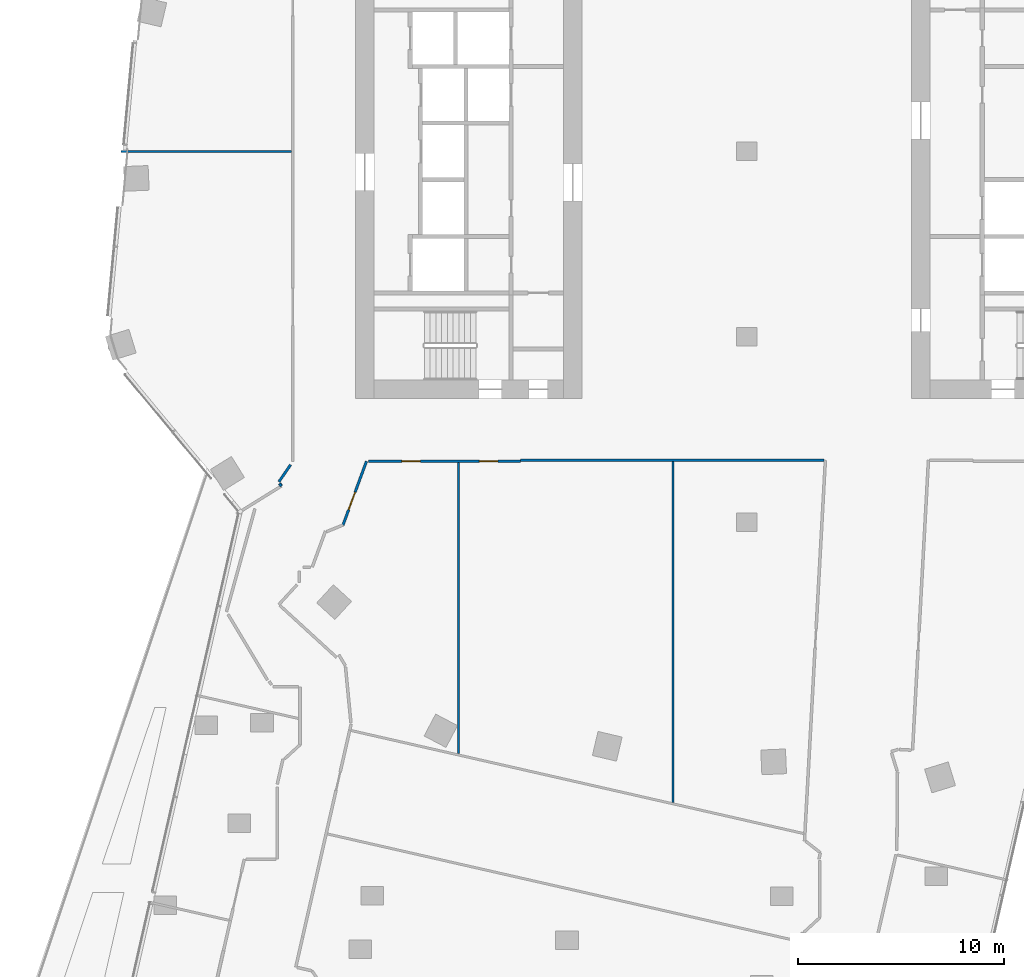
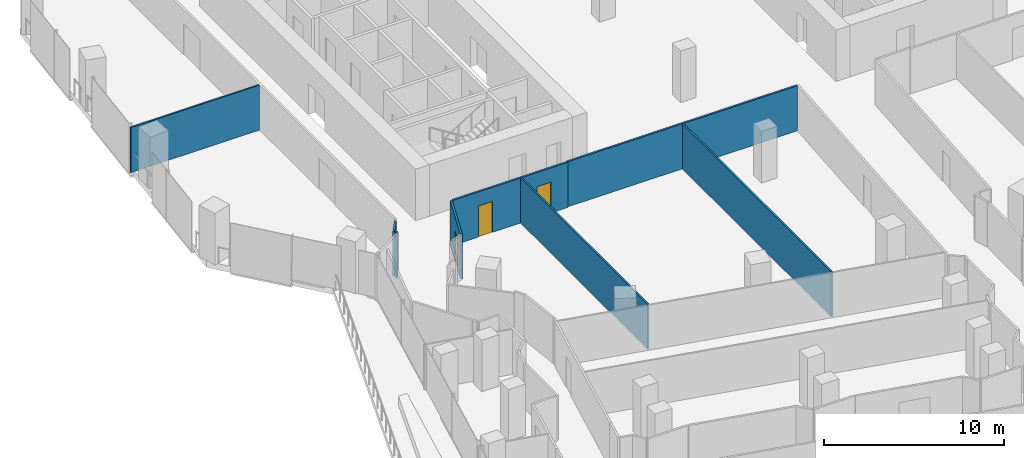
# One storey, part 19 of 28: 8 walls, 3 doors, 3 openings.
"""IFC4 building model written with IfcOpenShell, lengths in metres."""

import ifcopenshell
import ifcopenshell.guid

model = None  # the IFC model being written
_history = None  # IfcOwnerHistory: only IFC2X3 demands one
_inside = {}  # id of a spatial element -> (the spatial element, [elements in it])
_under = {}  # id of a project, library or spatial element -> (it, [spatial elements below it])
_declared = {}  # id of a project -> (the project, [libraries it declares])
_typed = {}  # id of a type object -> (the type object, [elements of that type])
_made_of = {}  # id of a material, layer set ... -> (it, [elements and type objects made of it])


def new_model(schema):
    """Start an empty IFC model of exactly this schema.

    Asked for "IFC4X3", IfcOpenShell would pick the latest addendum, in which some entities
    have other attributes; the version numbers below select the first issue.
    IFC2X3 requires an IfcOwnerHistory on every rooted entity: one is made here for all.
    """
    global model, _history
    if schema == "IFC4X3":
        model = ifcopenshell.file(schema_version=(4, 3, 0, 0))
    else:
        model = ifcopenshell.file(schema=schema)
    _inside.clear()
    _under.clear()
    _declared.clear()
    _typed.clear()
    _made_of.clear()
    _history = None
    if model.schema == "IFC2X3":
        org = make("IfcOrganization", Name="unknown")
        user = make(
            "IfcPersonAndOrganization",
            ThePerson=make("IfcPerson", FamilyName="unknown"),
            TheOrganization=org,
        )
        app = make(
            "IfcApplication",
            ApplicationDeveloper=org,
            Version="unknown",
            ApplicationFullName="unknown",
            ApplicationIdentifier="unknown",
        )
        _history = make(
            "IfcOwnerHistory",
            OwningUser=user,
            OwningApplication=app,
            ChangeAction="ADDED",
            CreationDate=0,
        )
    return model


def make(cls, **values):
    """One entity of the class cls with the attributes given. An attribute that is None is left unset."""
    return model.create_entity(
        cls, **{name: value for name, value in values.items() if value is not None}
    )


def rooted(cls, **values):
    """An entity with a GlobalId (a new one), such as an element, a storey or a relation."""
    return make(cls, GlobalId=ifcopenshell.guid.new(), OwnerHistory=_history, **values)


def si_unit(unit_type, name, prefix=None):
    """IfcSIUnit, for example si_unit("LENGTHUNIT", "METRE", prefix="MILLI")."""
    return make("IfcSIUnit", UnitType=unit_type, Prefix=prefix, Name=name)


def assignment(units):
    """IfcUnitAssignment: the units of a project."""
    return None if units is None else make("IfcUnitAssignment", Units=units)


def point(xyz):
    """IfcCartesianPoint."""
    return None if xyz is None else make("IfcCartesianPoint", Coordinates=xyz)


def direction(xyz):
    """IfcDirection."""
    return None if xyz is None else make("IfcDirection", DirectionRatios=xyz)


def frame(location, z_axis=None, x_axis=None):
    """IfcAxis2Placement3D, a coordinate frame: its origin and axes. An axis left out is left unset."""
    return make(
        "IfcAxis2Placement3D",
        Location=point(location),
        Axis=direction(z_axis),
        RefDirection=direction(x_axis),
    )


def frame_2d(location, x_axis=None):
    """IfcAxis2Placement2D, a coordinate frame in the plane: its origin and x axis."""
    return make(
        "IfcAxis2Placement2D", Location=point(location), RefDirection=direction(x_axis)
    )


def origin():
    """The frame at (0, 0, 0) with its axes left unset."""
    return frame((0.0, 0.0, 0.0))


def place(relative_to, where):
    """IfcLocalPlacement: puts the frame where relative to a parent placement (None: the world)."""
    return make(
        "IfcLocalPlacement", PlacementRelTo=relative_to, RelativePlacement=where
    )


def context(
    kind, dimensions, precision=None, world=None, true_north=None, identifier=None
):
    """IfcGeometricRepresentationContext, for example the 3D "Model" context."""
    return make(
        "IfcGeometricRepresentationContext",
        ContextIdentifier=identifier,
        ContextType=kind,
        CoordinateSpaceDimension=dimensions,
        Precision=precision,
        WorldCoordinateSystem=world,
        TrueNorth=true_north,
    )


def subcontext(parent, identifier, kind, view, scale=None):
    """IfcGeometricRepresentationSubContext, for example "Body" below "Model"."""
    return make(
        "IfcGeometricRepresentationSubContext",
        ContextIdentifier=identifier,
        ContextType=kind,
        ParentContext=parent,
        TargetScale=scale,
        TargetView=view,
    )


def project(units=None, contexts=None):
    """IfcProject with its units and contexts."""
    return rooted(
        "IfcProject",
        Name="project",
        RepresentationContexts=contexts,
        UnitsInContext=assignment(units),
    )


def spatial(cls, under=None, at=None, **own):
    """A site, building, storey or space (cls), placed at a placement, below another one or the project."""
    s = rooted(cls, ObjectPlacement=at, **own)
    if under is not None:
        _under.setdefault(under.id(), (under, []))[1].append(s)
    return s


def profile(cls, at=None, kind="AREA", **sizes):
    """A parametric profile (cls). Its sizes go by their IFC names, for example OverallWidth=200.0."""
    return make(cls, ProfileType=kind, Position=at, **sizes)


def rectangle(**sizes):
    """IfcRectangleProfileDef."""
    return profile("IfcRectangleProfileDef", **sizes)


def extrude(swept, where, along, depth):
    """IfcExtrudedAreaSolid: the profile swept, set in the frame where, extruded along a direction by depth."""
    return make(
        "IfcExtrudedAreaSolid",
        SweptArea=swept,
        Position=where,
        ExtrudedDirection=direction(along),
        Depth=depth,
    )


def shape(context_of_items, identifier, shape_type, items):
    """IfcShapeRepresentation: the items that make up one representation, for example the "Body"."""
    return make(
        "IfcShapeRepresentation",
        ContextOfItems=context_of_items,
        RepresentationIdentifier=identifier,
        RepresentationType=shape_type,
        Items=items,
    )


def material(Name=None, Category=None):
    """IfcMaterial."""
    return make("IfcMaterial", Name=Name, Category=Category)


def layer(
    of_material, thickness, ventilated=None, Name=None, Category=None, Priority=None
):
    """IfcMaterialLayer: one layer of a wall or slab, of a material (None: an air gap)."""
    return make(
        "IfcMaterialLayer",
        Material=of_material,
        LayerThickness=thickness,
        IsVentilated=ventilated,
        Name=Name,
        Category=Category,
        Priority=Priority,
    )


def layer_set(layers, Name=None):
    """IfcMaterialLayerSet."""
    return make("IfcMaterialLayerSet", MaterialLayers=layers, LayerSetName=Name)


def made_of(thing, what):
    """Note that an element or type object is made of a material, layer set ...; save() writes the relation."""
    if what is not None:
        _made_of.setdefault(what.id(), (what, []))[1].append(thing)
    return thing


def type_object(cls, material=None, **own):
    """A type object (cls), such as IfcWallType, which elements share."""
    return made_of(rooted(cls, **own), material)


def element(
    cls,
    number,
    at=None,
    inside=None,
    cuts=None,
    type_object=None,
    material=None,
    context=None,
    identifier="Body",
    shape_type=None,
    held_by="IfcProductDefinitionShape",
    body=None,
    shapes=None,
    **own,
):
    """One element of the class cls, such as IfcWall. Its Tag is "e" and its number.

    at: its placement. inside: the storey or other place that contains it. cuts: it is an
    opening in that element (IfcRelVoidsElement). A single representation is given by context,
    identifier, shape_type and body (its items); several are given by shapes. held_by: the class
    of the entity that holds the representations. save() writes the other relations.
    """
    e = rooted(cls, Tag="e%d" % number, ObjectPlacement=at, **own)
    if body is not None:
        shapes = [shape(context, identifier, shape_type, body)]
    if shapes is not None:
        e.Representation = make(held_by, Representations=shapes)
    if inside is not None:
        _inside.setdefault(inside.id(), (inside, []))[1].append(e)
    if cuts is not None:
        rooted(
            "IfcRelVoidsElement", RelatingBuildingElement=cuts, RelatedOpeningElement=e
        )
    if type_object is not None:
        _typed.setdefault(type_object.id(), (type_object, []))[1].append(e)
    return made_of(e, material)


def fill(opening, filler):
    """IfcRelFillsElement: the door or window that sits in an opening."""
    return rooted(
        "IfcRelFillsElement",
        RelatingOpeningElement=opening,
        RelatedBuildingElement=filler,
    )


def aggregate(whole, parts):
    """IfcRelAggregates: a whole, such as a stair, and the parts it consists of."""
    return rooted("IfcRelAggregates", RelatingObject=whole, RelatedObjects=parts)


def save(model, path):
    """Write the relations noted so far, then the file.

    IfcRelAggregates (storeys below a building ...), IfcRelContainedInSpatialStructure (elements
    in a storey), IfcRelDefinesByType, IfcRelAssociatesMaterial and IfcRelDeclares: one each for
    every whole, place, type object, material and project.
    """
    for whole, parts in _under.values():
        aggregate(whole, parts)
    for where, things in _inside.values():
        rooted(
            "IfcRelContainedInSpatialStructure",
            RelatedElements=things,
            RelatingStructure=where,
        )
    for kind, things in _typed.values():
        rooted("IfcRelDefinesByType", RelatedObjects=things, RelatingType=kind)
    for what, things in _made_of.values():
        rooted("IfcRelAssociatesMaterial", RelatedObjects=things, RelatingMaterial=what)
    for by, libraries in _declared.values():
        rooted("IfcRelDeclares", RelatingContext=by, RelatedDefinitions=libraries)
    model.write(path)


model = new_model("IFC4")

# Units and contexts
model_context = context("Model", 3, precision=1e-05, world=origin(), true_north=direction((0.0, 1.0)))
body_context = subcontext(model_context, "Body", "Model", "MODEL_VIEW")
ifc_project = project(units=[si_unit("LENGTHUNIT", "METRE"), si_unit("AREAUNIT", "SQUARE_METRE"), si_unit("VOLUMEUNIT", "CUBIC_METRE"), si_unit("PLANEANGLEUNIT", "RADIAN"), si_unit("MASSUNIT", "GRAM", prefix="KILO")], contexts=[model_context])

# Site, building, storey
site_placement = place(None, origin())
site = spatial("IfcSite", under=ifc_project, at=site_placement, CompositionType="ELEMENT")
building_placement = place(site_placement, origin())
building = spatial("IfcBuilding", under=site, at=building_placement, Name="Orlundy Tower", CompositionType="ELEMENT")
storey_placement = place(building_placement, frame((0.0, 0.0, 167.10009765625)))
storey = spatial("IfcBuildingStorey", under=building, at=storey_placement, Name="L43", CompositionType="ELEMENT", Elevation=167.10009765625)

# Walls
ifc_material_1 = material(Name="Gypsum board partition")
ifc_layer_1 = layer(ifc_material_1, 0.10009765625)
ifc_layer_set_1 = layer_set([ifc_layer_1], Name="Floor partition 100")
wall_type_1 = type_object("IfcWallType", Name="Floor partition 100", PredefinedType="PARTITIONING", material=ifc_layer_set_1)
wall_1_placement = place(storey_placement, frame((-3.5849609375, -15.06201171875, 0.0), z_axis=(0.0, 0.0, 1.0), x_axis=(5.895705e-05, -0.999999998262, 0.0)))
element("IfcWall", 1, at=wall_1_placement, inside=storey, type_object=wall_type_1, Name="wall-int-L43-001", PredefinedType="PARTITIONING", context=body_context, shape_type="SweptSolid", body=[
    extrude(rectangle(XDim=16.56396484375, YDim=0.10009765625, at=frame_2d((8.281982421875, 0.0))), origin(), (0.0, 0.0, 1.0), 3.059814453125),
])
wall_2_placement = place(storey_placement, frame((-30.382080078125, 0.0, 0.0), z_axis=(0.0, 0.0, 1.0), x_axis=(1.0, 0.0, 0.0)))
element("IfcWall", 2, at=wall_2_placement, inside=storey, type_object=wall_type_1, Name="wall-int-L43-045", PredefinedType="PARTITIONING", context=body_context, shape_type="SweptSolid", body=[
    extrude(rectangle(XDim=8.26904296875, YDim=0.10009765625, at=frame_2d((4.134521484375, 0.0))), origin(), (0.0, 0.0, 1.0), 3.059814453125),
])
wall_3_placement = place(storey_placement, frame((-14.0, -29.2529296875, 0.0), z_axis=(0.0, 0.0, 1.0), x_axis=(0.0, 1.0, 0.0)))
element("IfcWall", 3, at=wall_3_placement, inside=storey, type_object=wall_type_1, Name="wall-int-L43-092", PredefinedType="PARTITIONING", context=body_context, shape_type="SweptSolid", body=[
    extrude(rectangle(XDim=14.138916015625, YDim=0.10009765625, at=frame_2d((7.0693359375, 0.0))), origin(), (0.0, 0.0, 1.0), 3.059814453125),
])
ifc_material_2 = material(Name="Gypsum board partition, double layer")
ifc_layer_2 = layer(ifc_material_2, 0.125)
ifc_layer_set_2 = layer_set([ifc_layer_2], Name="Floor partition 125")
wall_type_2 = type_object("IfcWallType", Name="Floor partition 125", PredefinedType="PARTITIONING", material=ifc_layer_set_2)
wall_4_placement = place(storey_placement, frame((-22.681884765625, -16.135009765625, 0.0), z_axis=(0.0, 0.0, 1.0), x_axis=(0.530154156877, -0.847901273702, 0.0)))
element("IfcWall", 4, at=wall_4_placement, inside=storey, type_object=wall_type_2, Name="wall-int-L43-006", PredefinedType="PARTITIONING", context=body_context, shape_type="SweptSolid", body=[
    extrude(rectangle(XDim=0.141357421875, YDim=0.125, at=frame_2d((0.07080078125, 0.0))), origin(), (0.0, 0.0, 1.0), 3.059814453125),
])

# Wall, openings, doors
wall_5_placement = place(storey_placement, frame((-10.990966796875, -15.051025390625, 0.0), z_axis=(0.0, 0.0, 1.0), x_axis=(-1.0, 0.0, 0.0)))
wall_5 = element("IfcWall", 5, at=wall_5_placement, inside=storey, type_object=wall_type_2, Name="wall-int-L43-040", PredefinedType="PARTITIONING", context=body_context, shape_type="SweptSolid", body=[
    extrude(rectangle(XDim=7.387939453125, YDim=0.125, at=frame_2d((3.69384765625, 0.0))), origin(), (0.0, 0.0, 1.0), 3.059814453125),
])
opening_1_placement = place(wall_5_placement, frame((4.85888671875, 0.0, 0.0)))
opening_1 = element("IfcOpeningElement", 6, at=opening_1_placement, cuts=wall_5, Name="Opening 34111", PredefinedType="OPENING", context=body_context, shape_type="SweptSolid", body=[
    extrude(rectangle(XDim=0.89990234375, YDim=2.10009765625, at=frame_2d((0.449951171875, 1.050048828125))), frame((0.0, 0.072509765625, 0.0), z_axis=(0.0, -1.0, 0.0), x_axis=(1.0, 0.0, 0.0)), (0.0, 0.0, 1.0), 0.14501953125),
])
opening_2_placement = place(wall_5_placement, frame((1.10009765625, 0.0, 0.0)))
opening_2 = element("IfcOpeningElement", 7, at=opening_2_placement, cuts=wall_5, Name="Opening 34112", PredefinedType="OPENING", context=body_context, shape_type="SweptSolid", body=[
    extrude(rectangle(XDim=0.89990234375, YDim=2.10009765625, at=frame_2d((0.449951171875, 1.050048828125))), frame((0.0, 0.072509765625, 0.0), z_axis=(0.0, -1.0, 0.0), x_axis=(1.0, 0.0, 0.0)), (0.0, 0.0, 1.0), 0.14501953125),
])
ifc_material_3 = material(Name="Timber door leaf", Category="wood")
door_type = type_object("IfcDoorType", Name="Floor door single 900 FD30S", OperationType="NOTDEFINED", PredefinedType="DOOR", material=ifc_material_3)
door_1_placement = place(opening_1_placement, origin())
door_1 = element("IfcDoor", 8, at=door_1_placement, inside=storey, type_object=door_type, Name="Door 34111", OperationType="SINGLE_SWING_RIGHT", OverallHeight=2.10009765625, OverallWidth=0.89990234375, PredefinedType="DOOR", context=body_context, shape_type="SweptSolid", body=[
    extrude(rectangle(XDim=0.89990234375, YDim=2.10009765625, at=frame_2d((0.449951171875, 1.050048828125))), frame((0.0, 0.02490234375, 0.0), z_axis=(0.0, -1.0, 0.0), x_axis=(1.0, 0.0, 0.0)), (0.0, 0.0, 1.0), 0.050048828125),
])
fill(opening_1, door_1)
door_2_placement = place(opening_2_placement, origin())
door_2 = element("IfcDoor", 9, at=door_2_placement, inside=storey, type_object=door_type, Name="Door 34112", OperationType="SINGLE_SWING_LEFT", OverallHeight=2.10009765625, OverallWidth=0.89990234375, PredefinedType="DOOR", context=body_context, shape_type="SweptSolid", body=[
    extrude(rectangle(XDim=0.89990234375, YDim=2.10009765625, at=frame_2d((0.449951171875, 1.050048828125))), frame((0.0, 0.02490234375, 0.0), z_axis=(0.0, -1.0, 0.0), x_axis=(1.0, 0.0, 0.0)), (0.0, 0.0, 1.0), 0.050048828125),
])
fill(opening_2, door_2)

# Walls
wall_6_placement = place(storey_placement, frame((-10.989990234375, -15.0009765625, 0.0), z_axis=(0.0, 0.0, 1.0), x_axis=(0.999999991232, 0.000132424021, 0.0)))
element("IfcWall", 10, at=wall_6_placement, inside=storey, type_object=wall_type_2, Name="wall-int-L43-042", PredefinedType="PARTITIONING", context=body_context, shape_type="SweptSolid", body=[
    extrude(rectangle(XDim=14.7490234375, YDim=0.125, at=frame_2d((7.37451171875, 0.0))), origin(), (0.0, 0.0, 1.0), 3.059814453125),
])
wall_7_placement = place(storey_placement, frame((-22.722900390625, -16.044921875, 0.0), z_axis=(0.0, 0.0, 1.0), x_axis=(0.567177272103, 0.823595739431, 0.0)))
element("IfcWall", 11, at=wall_7_placement, inside=storey, type_object=wall_type_2, Name="wall-int-L43-054", PredefinedType="PARTITIONING", context=body_context, shape_type="SweptSolid", body=[
    extrude(rectangle(XDim=1.00634765625, YDim=0.125, at=frame_2d((0.503173828125, 0.0))), origin(), (0.0, 0.0, 1.0), 3.059814453125),
])

# Wall, opening, door
wall_8_placement = place(storey_placement, frame((-18.468994140625, -15.051025390625, 0.0), z_axis=(0.0, 0.0, 1.0), x_axis=(-0.345252599318, -0.938509798918, 0.0)))
wall_8 = element("IfcWall", 12, at=wall_8_placement, inside=storey, type_object=wall_type_2, Name="wall-int-L43-055", PredefinedType="PARTITIONING", context=body_context, shape_type="SweptSolid", body=[
    extrude(rectangle(XDim=3.298828125, YDim=0.125, at=frame_2d((1.6494140625, 0.0))), origin(), (0.0, 0.0, 1.0), 3.059814453125),
])
opening_3_placement = place(wall_8_placement, frame((1.60009765625, 0.0, 0.0)))
opening_3 = element("IfcOpeningElement", 13, at=opening_3_placement, cuts=wall_8, Name="Opening 34110", PredefinedType="OPENING", context=body_context, shape_type="SweptSolid", body=[
    extrude(rectangle(XDim=0.89990234375, YDim=2.10009765625, at=frame_2d((0.449951171875, 1.050048828125))), frame((0.0, 0.072509765625, 0.0), z_axis=(0.0, -1.0, 0.0), x_axis=(1.0, 0.0, 0.0)), (0.0, 0.0, 1.0), 0.14501953125),
])
door_3_placement = place(opening_3_placement, origin())
door_3 = element("IfcDoor", 14, at=door_3_placement, inside=storey, type_object=door_type, Name="Door 34110", OperationType="SINGLE_SWING_RIGHT", OverallHeight=2.10009765625, OverallWidth=0.89990234375, PredefinedType="DOOR", context=body_context, shape_type="SweptSolid", body=[
    extrude(rectangle(XDim=0.89990234375, YDim=2.10009765625, at=frame_2d((0.449951171875, 1.050048828125))), frame((0.0, 0.02490234375, 0.0), z_axis=(0.0, -1.0, 0.0), x_axis=(1.0, 0.0, 0.0)), (0.0, 0.0, 1.0), 0.050048828125),
])
fill(opening_3, door_3)

save(model, "model.ifc")
